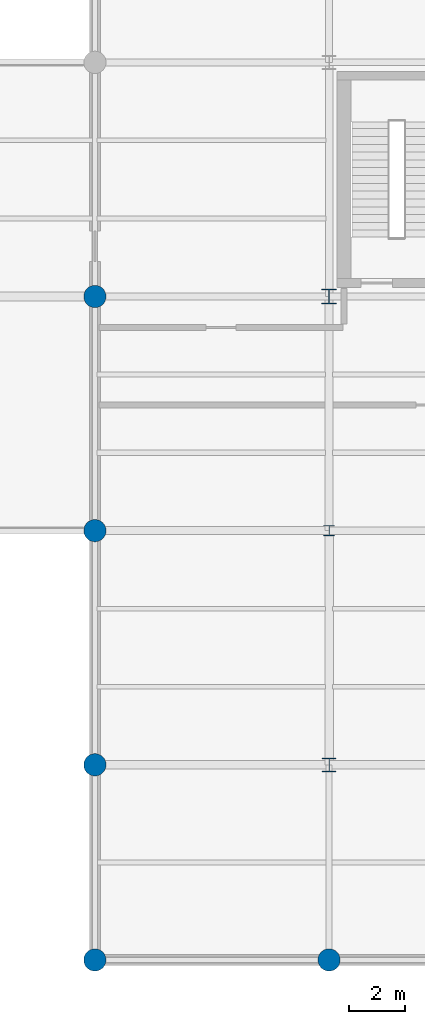
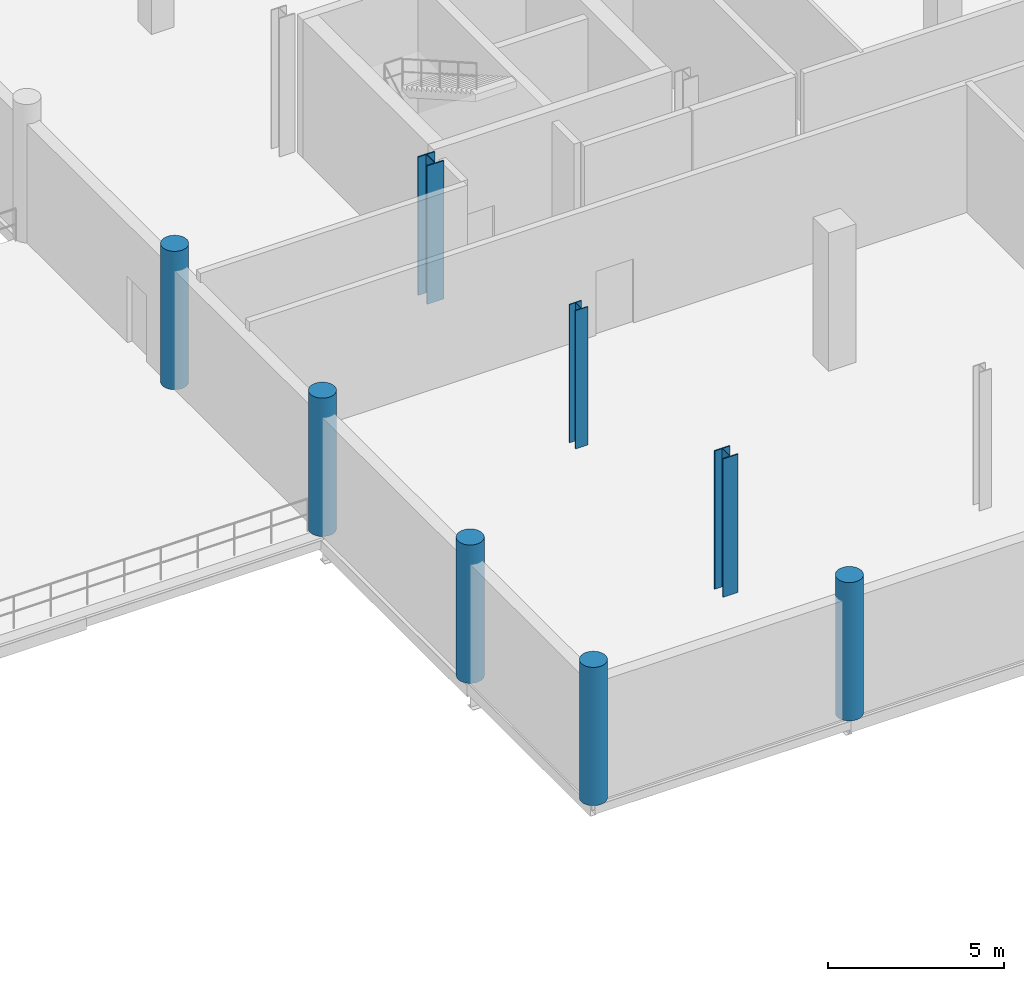
# One storey, part 6 of 109: 8 columns.
"""IFC4 building model written with IfcOpenShell, lengths in metres."""

from ifc_helpers import new_model, si_unit, direction, frame, origin_with_axes, origin_2d_with_axis, place, context, subcontext, project, spatial, circle, i_section, extrude, material, material_profile, profile_set, type_object, element, save


model = new_model("IFC4")

# Units and contexts
model_context = context("Model", 3, precision=1e-05, world=origin_with_axes(), true_north=direction((0.0, 1.0)))
body_context = subcontext(model_context, "Body", "Model", "MODEL_VIEW")
ifc_project = project(units=[si_unit("LENGTHUNIT", "METRE"), si_unit("AREAUNIT", "SQUARE_METRE"), si_unit("VOLUMEUNIT", "CUBIC_METRE"), si_unit("PLANEANGLEUNIT", "RADIAN"), si_unit("MASSUNIT", "GRAM", prefix="KILO"), si_unit("THERMODYNAMICTEMPERATUREUNIT", "KELVIN")], contexts=[model_context])

# Site, building, storey
site_placement = place(None, origin_with_axes())
site = spatial("IfcSite", under=ifc_project, at=site_placement, CompositionType="ELEMENT")
building_placement = place(site_placement, origin_with_axes())
building = spatial("IfcBuilding", under=site, at=building_placement, Name="Montbau Bow Law Courts", CompositionType="ELEMENT")
storey_placement = place(building_placement, frame((0.0, 0.0, 10.8), z_axis=(0.0, 0.0, 1.0), x_axis=(1.0, 0.0, 0.0)))
storey = spatial("IfcBuildingStorey", under=building, at=storey_placement, Name="L02", CompositionType="ELEMENT", Elevation=10.8)

# Columns
ifc_material_1 = material(Name="Concrete CSA A23.1 f'c 40 MPa", Category="concrete")
ifc_material_profile_1 = material_profile(ifc_material_1, circle(Radius=0.4, at=origin_2d_with_axis()), Name="RC800D", Category="Main", Priority=0)
ifc_profile_set_1 = profile_set([ifc_material_profile_1], Name="Concrete CSA A23.1 f'c 40 MPa")
column_type_1 = type_object("IfcColumnType", Name="C-RC-07", PredefinedType="COLUMN", material=ifc_profile_set_1)
for number, where, z_axis, x_axis, name in (
    (1, (121.8, 6.8, 10.8), (0.0, 0.0, 1.0), (1.0, 0.0, 0.0), "C-L02-S0569:col2_0569"),
    (2, (121.8, 13.8, 10.8), (0.0, 0.0, 1.0), (1.0, 0.0, 0.0), "C-L02-S0570:col2_0570"),
    (3, (121.8, 22.2, 10.8), (0.0, 0.0, 1.0), (1.0, 0.0, 0.0), "C-L02-S0571:col2_0571"),
    (4, (121.8, 30.6, 10.8), (0.0, 0.0, 1.0), (1.0, 0.0, 0.0), "C-L02-S0572:col2_0572"),
    (5, (130.2, 6.8, 10.8), (0.0, 0.0, 1.0), (1.0, 0.0, 0.0), "C-L02-S0576:col2_0576"),
):
    element("IfcColumn", number, at=place(None, frame(where, z_axis=z_axis, x_axis=x_axis)), inside=storey, type_object=column_type_1, Name=name, PredefinedType="COLUMN", context=body_context, shape_type="SweptSolid", body=[
        extrude(circle(Radius=0.4, at=origin_2d_with_axis()), origin_with_axes(), (0.0, 0.0, 1.0), 4.8),
    ])
ifc_material_2 = material(Name="Steel CSA G40.21 Grade 350W (350 MPa)", Category="steel")
ifc_material_profile_2 = material_profile(ifc_material_2, i_section(OverallWidth=0.55, OverallDepth=0.55, WebThickness=0.025, FlangeThickness=0.042, at=origin_2d_with_axis()), Name="WWF550X420", Category="Main", Priority=0)
ifc_profile_set_2 = profile_set([ifc_material_profile_2], Name="Steel CSA G40.21 Grade 350W (350 MPa)")
column_type_2 = type_object("IfcColumnType", Name="C-STL-01", PredefinedType="COLUMN", material=ifc_profile_set_2)
column_1_placement = place(None, frame((130.2, 30.6, 10.8), z_axis=(0.0, 0.0, 1.0), x_axis=(1.0, 0.0, 0.0)))
element("IfcColumn", 6, at=column_1_placement, inside=storey, type_object=column_type_2, Name="C-L02-S0579:col2_0579", PredefinedType="COLUMN", context=body_context, shape_type="SweptSolid", body=[
    extrude(i_section(OverallWidth=0.55, OverallDepth=0.55, WebThickness=0.025, FlangeThickness=0.042, at=origin_2d_with_axis()), origin_with_axes(), (0.0, 0.0, 1.0), 4.8),
])
ifc_material_profile_3 = material_profile(ifc_material_2, i_section(OverallWidth=0.5, OverallDepth=0.5, WebThickness=0.022, FlangeThickness=0.036, at=origin_2d_with_axis()), Name="WWF500X343", Category="Main", Priority=0)
ifc_profile_set_3 = profile_set([ifc_material_profile_3], Name="Steel CSA G40.21 Grade 350W (350 MPa)")
column_type_3 = type_object("IfcColumnType", Name="C-STL-02", PredefinedType="COLUMN", material=ifc_profile_set_3)
column_2_placement = place(None, frame((130.2, 13.8, 10.8), z_axis=(0.0, 0.0, 1.0), x_axis=(1.0, 0.0, 0.0)))
element("IfcColumn", 7, at=column_2_placement, inside=storey, type_object=column_type_3, Name="C-L02-S0577:col2_0577", PredefinedType="COLUMN", context=body_context, shape_type="SweptSolid", body=[
    extrude(i_section(OverallWidth=0.5, OverallDepth=0.5, WebThickness=0.022, FlangeThickness=0.036, at=origin_2d_with_axis()), origin_with_axes(), (0.0, 0.0, 1.0), 4.8),
])
ifc_material_profile_4 = material_profile(ifc_material_2, i_section(OverallWidth=0.395, OverallDepth=0.38, WebThickness=0.0189, FlangeThickness=0.0302, at=origin_2d_with_axis()), Name="W360X237", Category="Main", Priority=0)
ifc_profile_set_4 = profile_set([ifc_material_profile_4], Name="Steel CSA G40.21 Grade 350W (350 MPa)")
column_type_4 = type_object("IfcColumnType", Name="C-STL-03", PredefinedType="COLUMN", material=ifc_profile_set_4)
column_3_placement = place(None, frame((130.2, 22.2, 10.8), z_axis=(0.0, 0.0, 1.0), x_axis=(1.0, 0.0, 0.0)))
element("IfcColumn", 8, at=column_3_placement, inside=storey, type_object=column_type_4, Name="C-L02-S0578:col2_0578", PredefinedType="COLUMN", context=body_context, shape_type="SweptSolid", body=[
    extrude(i_section(OverallWidth=0.395, OverallDepth=0.38, WebThickness=0.0189, FlangeThickness=0.0302, at=origin_2d_with_axis()), origin_with_axes(), (0.0, 0.0, 1.0), 4.8),
])

save(model, "model.ifc")
